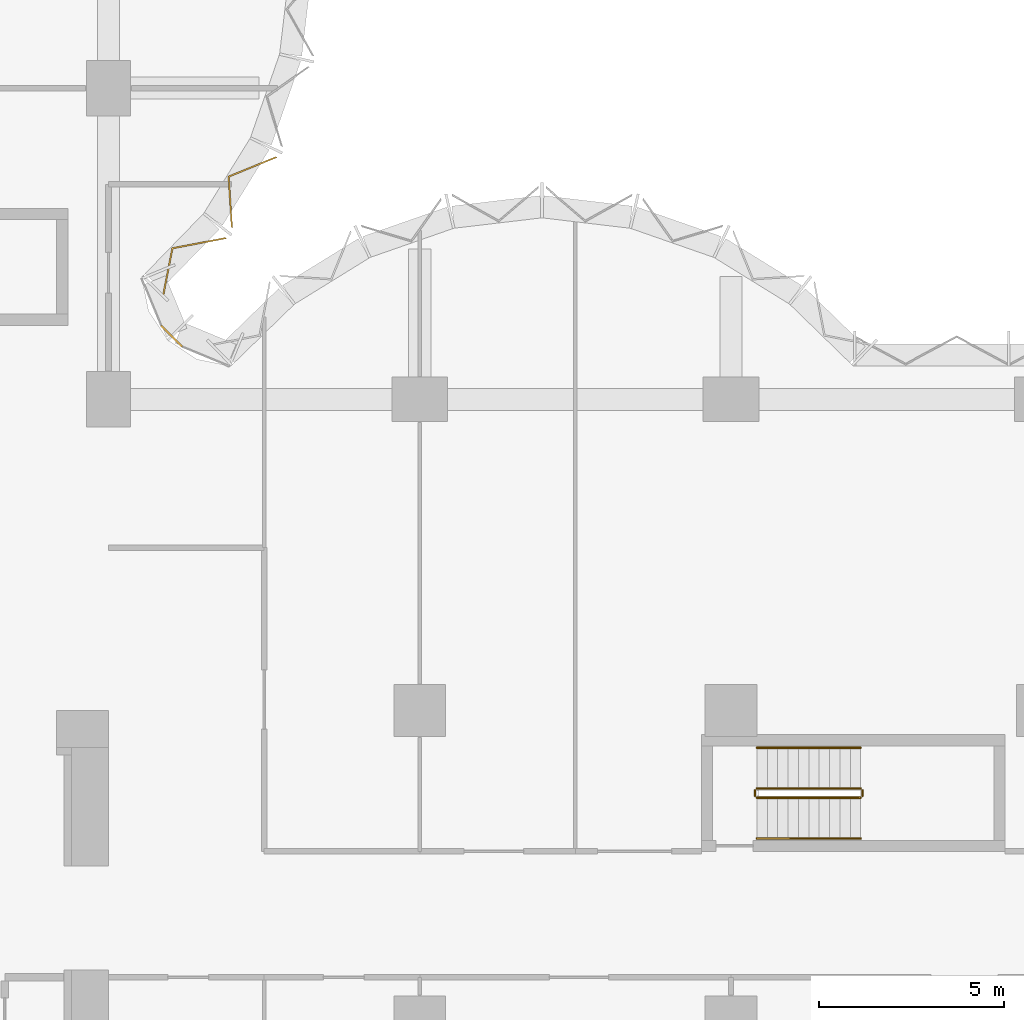
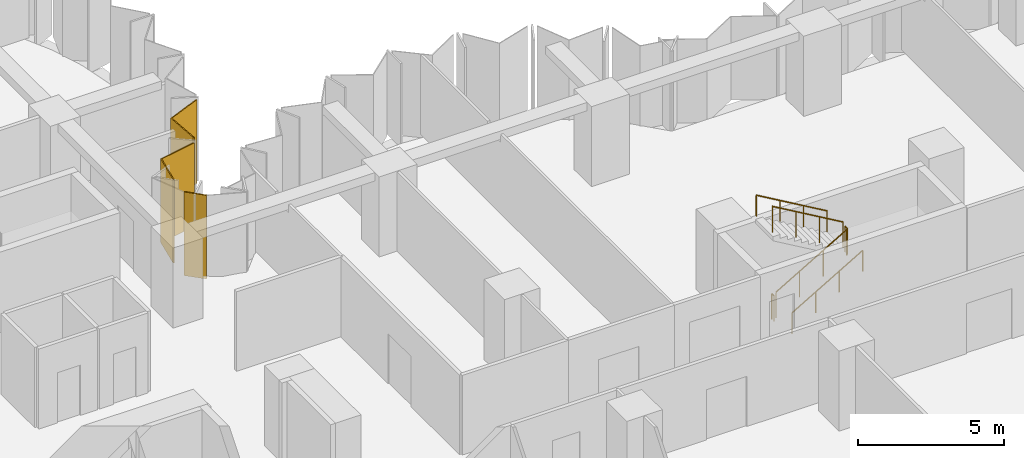
# One storey, part 14 of 15: 6 railings, 3 coverings, 2 elements without a shape of their own.
"""IFC4 building model written with IfcOpenShell, lengths in metres."""

from ifc_helpers import new_model, si_unit, direction, frame, origin, origin_2d, place, context, subcontext, project, spatial, polyline, circle, outline, extrude, material, layer, layer_set, type_object, element, aggregate, save


model = new_model("IFC4")

# Units and contexts
model_context = context("Model", 3, precision=1e-05, world=origin(), true_north=direction((0.0, 1.0)))
body_context = subcontext(model_context, "Body", "Model", "MODEL_VIEW")
ifc_project = project(units=[si_unit("LENGTHUNIT", "METRE"), si_unit("AREAUNIT", "SQUARE_METRE"), si_unit("VOLUMEUNIT", "CUBIC_METRE"), si_unit("PLANEANGLEUNIT", "RADIAN"), si_unit("MASSUNIT", "GRAM", prefix="KILO")], contexts=[model_context])

# Site, building, storey
site_placement = place(None, origin())
site = spatial("IfcSite", under=ifc_project, at=site_placement, CompositionType="ELEMENT")
building_placement = place(site_placement, origin())
building = spatial("IfcBuilding", under=site, at=building_placement, Name="Brevane Broadcast Tower", CompositionType="ELEMENT")
storey_placement = place(building_placement, frame((0.0, 0.0, 58.10009765625)))
storey = spatial("IfcBuildingStorey", under=building, at=storey_placement, Name="L12", CompositionType="ELEMENT", Elevation=58.10009765625)

# Railings
ifc_material_1 = material(Name="Steel S355", Category="steel")
railing_type_1 = type_object("IfcRailingType", Name="Exit stair guard", PredefinedType="GUARDRAIL", material=ifc_material_1)
railing_1_placement = place(storey_placement, frame((42.699951171875, 14.449951171875, 0.16357421875)))
element("IfcRailing", 1, at=railing_1_placement, inside=storey, type_object=railing_type_1, Name="L12 ST-4 stair guard 1", PredefinedType="GUARDRAIL", context=body_context, shape_type="SweptSolid", body=[
    extrude(circle(Radius=0.02392578125, at=origin_2d()), frame((0.0, 0.0, 1.076171875), z_axis=(0.863393664356, 0.0, 0.504530851732), x_axis=(0.0, 1.0, 0.0)), (0.0, 0.0, 1.0), 3.2431640625),
    extrude(circle(Radius=0.02099609375, at=origin_2d()), origin(), (0.0, 0.0, 1.0), 1.052001953125),
    extrude(circle(Radius=0.02099609375, at=origin_2d()), frame((0.933349609375, 0.0, 0.54541015625)), (0.0, 0.0, 1.0), 1.052001953125),
    extrude(circle(Radius=0.02099609375, at=origin_2d()), frame((1.86669921875, 0.0, 1.0908203125)), (0.0, 0.0, 1.0), 1.052001953125),
    extrude(circle(Radius=0.02099609375, at=origin_2d()), frame((2.800048828125, 0.0, 1.63623046875)), (0.0, 0.0, 1.0), 1.052001953125),
])
railing_2_placement = place(storey_placement, frame((45.550048828125, 14.5, 1.7998046875)))
element("IfcRailing", 2, at=railing_2_placement, inside=storey, type_object=railing_type_1, Name="L12 ST-4 stair guard 2", PredefinedType="GUARDRAIL", context=body_context, shape_type="SweptSolid", body=[
    extrude(circle(Radius=0.02392578125, at=origin_2d()), frame((0.0, 0.0, 1.076171875), z_axis=(0.0, 1.0, 0.0), x_axis=(-1.0, 0.0, 0.0)), (0.0, 0.0, 1.0), 0.14990234375),
    extrude(circle(Radius=0.02099609375, at=origin_2d()), origin(), (0.0, 0.0, 1.0), 1.052001953125),
    extrude(circle(Radius=0.02099609375, at=origin_2d()), frame((0.0, 0.14990234375, 0.0)), (0.0, 0.0, 1.0), 1.052001953125),
])
railing_3_placement = place(storey_placement, frame((45.5, 14.699951171875, 1.963623046875)))
element("IfcRailing", 3, at=railing_3_placement, inside=storey, type_object=railing_type_1, Name="L12 ST-4 stair guard 3", PredefinedType="GUARDRAIL", context=body_context, shape_type="SweptSolid", body=[
    extrude(circle(Radius=0.02392578125, at=origin_2d()), frame((0.0, 0.0, 1.076171875), z_axis=(-0.863393664356, 0.0, 0.504530851732), x_axis=(0.0, -1.0, 0.0)), (0.0, 0.0, 1.0), 3.2431640625),
    extrude(circle(Radius=0.02099609375, at=origin_2d()), origin(), (0.0, 0.0, 1.0), 1.052001953125),
    extrude(circle(Radius=0.02099609375, at=origin_2d()), frame((-0.933349609375, 0.0, 0.54541015625)), (0.0, 0.0, 1.0), 1.052001953125),
    extrude(circle(Radius=0.02099609375, at=origin_2d()), frame((-1.86669921875, 0.0, 1.0908203125)), (0.0, 0.0, 1.0), 1.052001953125),
    extrude(circle(Radius=0.02099609375, at=origin_2d()), frame((-2.800048828125, 0.0, 1.63623046875)), (0.0, 0.0, 1.0), 1.052001953125),
])
railing_4_placement = place(storey_placement, frame((42.64990234375, 14.5, 0.0)))
element("IfcRailing", 4, at=railing_4_placement, inside=storey, type_object=railing_type_1, Name="L12 ST-4 stair guard 4", PredefinedType="GUARDRAIL", context=body_context, shape_type="SweptSolid", body=[
    extrude(circle(Radius=0.02392578125, at=origin_2d()), frame((0.0, 0.0, 1.076171875), z_axis=(0.0, 1.0, 0.0), x_axis=(-1.0, 0.0, 0.0)), (0.0, 0.0, 1.0), 0.14990234375),
    extrude(circle(Radius=0.02099609375, at=origin_2d()), origin(), (0.0, 0.0, 1.0), 1.052001953125),
    extrude(circle(Radius=0.02099609375, at=origin_2d()), frame((0.0, 0.14990234375, 0.0)), (0.0, 0.0, 1.0), 1.052001953125),
])
railing_type_2 = type_object("IfcRailingType", Name="Exit stair handrail", PredefinedType="HANDRAIL", material=ifc_material_1)
railing_5_placement = place(storey_placement, frame((42.699951171875, 13.35009765625, 0.16357421875)))
element("IfcRailing", 5, at=railing_5_placement, inside=storey, type_object=railing_type_2, Name="L12 ST-4 stair handrail 1", PredefinedType="HANDRAIL", context=body_context, shape_type="SweptSolid", body=[
    extrude(circle(Radius=0.02392578125, at=origin_2d()), frame((0.0, 0.0, 0.8759765625), z_axis=(0.863393664356, 0.0, 0.504530851732), x_axis=(0.0, 1.0, 0.0)), (0.0, 0.0, 1.0), 3.2431640625),
    extrude(circle(Radius=0.02099609375, at=origin_2d()), origin(), (0.0, 0.0, 1.0), 0.851806640625),
    extrude(circle(Radius=0.02099609375, at=origin_2d()), frame((0.933349609375, 0.0, 0.54541015625)), (0.0, 0.0, 1.0), 0.851806640625),
    extrude(circle(Radius=0.02099609375, at=origin_2d()), frame((1.86669921875, 0.0, 1.0908203125)), (0.0, 0.0, 1.0), 0.851806640625),
    extrude(circle(Radius=0.02099609375, at=origin_2d()), frame((2.800048828125, 0.0, 1.63623046875)), (0.0, 0.0, 1.0), 0.851806640625),
])
railing_6_placement = place(storey_placement, frame((45.5, 15.800048828125, 1.963623046875)))
element("IfcRailing", 6, at=railing_6_placement, inside=storey, type_object=railing_type_2, Name="L12 ST-4 stair handrail 2", PredefinedType="HANDRAIL", context=body_context, shape_type="SweptSolid", body=[
    extrude(circle(Radius=0.02392578125, at=origin_2d()), frame((0.0, 0.0, 0.8759765625), z_axis=(-0.863393664356, 0.0, 0.504530851732), x_axis=(0.0, -1.0, 0.0)), (0.0, 0.0, 1.0), 3.2431640625),
    extrude(circle(Radius=0.02099609375, at=origin_2d()), origin(), (0.0, 0.0, 1.0), 0.851806640625),
    extrude(circle(Radius=0.02099609375, at=origin_2d()), frame((-0.933349609375, 0.0, 0.54541015625)), (0.0, 0.0, 1.0), 0.851806640625),
    extrude(circle(Radius=0.02099609375, at=origin_2d()), frame((-1.86669921875, 0.0, 1.0908203125)), (0.0, 0.0, 1.0), 0.851806640625),
    extrude(circle(Radius=0.02099609375, at=origin_2d()), frame((-2.800048828125, 0.0, 1.63623046875)), (0.0, 0.0, 1.0), 0.851806640625),
])

# Curtain wall, coverings
ifc_material_2 = material(Name="Aluminium 6063-T6 bronze anodised", Category="aluminium")
curtain_wall_type = type_object("IfcCurtainWallType", Name="CW-1 curtain wall", PredefinedType="NOTDEFINED", material=ifc_material_2)
curtain_wall_1_placement = place(storey_placement, origin())
curtain_wall_1 = element("IfcCurtainWall", 7, at=curtain_wall_1_placement, inside=storey, type_object=curtain_wall_type, Name="CW-1 typical tilted unit L12 north bow", PredefinedType="NOTDEFINED")
ifc_material_3 = material(Name="Back-painted bronze glass shadow-box", Category="glass")
ifc_layer = layer(ifc_material_3, 0.0400390625)
ifc_layer_set = layer_set([ifc_layer], Name="Shadow-box panel 40")
covering_type = type_object("IfcCoveringType", Name="Shadow-box panel 40", PredefinedType="CLADDING", material=ifc_layer_set)
covering_1_placement = place(storey_placement, frame((0.0, 0.0, -0.150146484375)))
covering_1 = element("IfcCovering", 8, at=covering_1_placement, type_object=covering_type, Name="Shadow-box panel", PredefinedType="CLADDING", context=body_context, shape_type="SweptSolid", body=[
    extrude(outline(polyline([(26.656005859375, 28.008544921875), (26.690185546875, 27.975341796875), (26.9423828125, 29.2607421875), (28.3857421875, 29.535888671875), (28.34375, 29.568603515625), (26.908203125, 29.294921875), (26.656005859375, 28.008544921875)])), origin(), (0.0, 0.0, 1.0), 3.5),
])
covering_2_placement = place(storey_placement, frame((0.0, 0.0, -0.150146484375)))
covering_2 = element("IfcCovering", 9, at=covering_2_placement, type_object=covering_type, Name="Shadow-box panel", PredefinedType="CLADDING", context=body_context, shape_type="SweptSolid", body=[
    extrude(outline(polyline([(28.5087890625, 29.849609375), (28.551025390625, 29.816650390625), (28.462890625, 31.198486328125), (29.76171875, 31.729736328125), (29.712890625, 31.753173828125), (28.42138671875, 31.224609375), (28.5087890625, 29.849609375)])), origin(), (0.0, 0.0, 1.0), 3.5),
])
aggregate(curtain_wall_1, [covering_1, covering_2])

# Curtain wall, covering
curtain_wall_2_placement = place(storey_placement, origin())
curtain_wall_2 = element("IfcCurtainWall", 10, at=curtain_wall_2_placement, inside=storey, type_object=curtain_wall_type, Name="CW-1 typical tilted unit L12 inner corner", PredefinedType="NOTDEFINED")
covering_3_placement = place(storey_placement, frame((0.0, 0.0, -0.150146484375)))
covering_3 = element("IfcCovering", 11, at=covering_3_placement, type_object=covering_type, Name="Closure panel", PredefinedType="CLADDING", context=body_context, shape_type="SweptSolid", body=[
    extrude(outline(polyline([(27.17138671875, 26.60498046875), (27.2021484375, 26.635498046875), (26.635498046875, 27.2021484375), (26.60498046875, 27.17138671875), (27.17138671875, 26.60498046875)])), origin(), (0.0, 0.0, 1.0), 3.5),
])
aggregate(curtain_wall_2, [covering_3])

save(model, "model.ifc")
